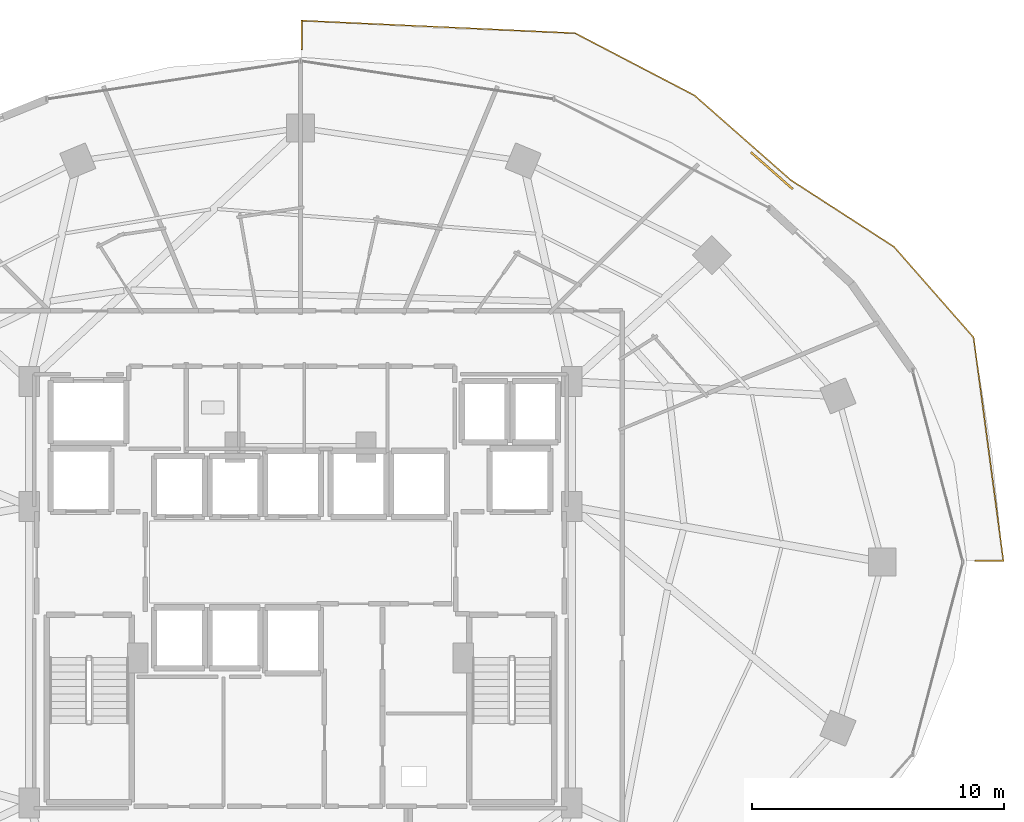
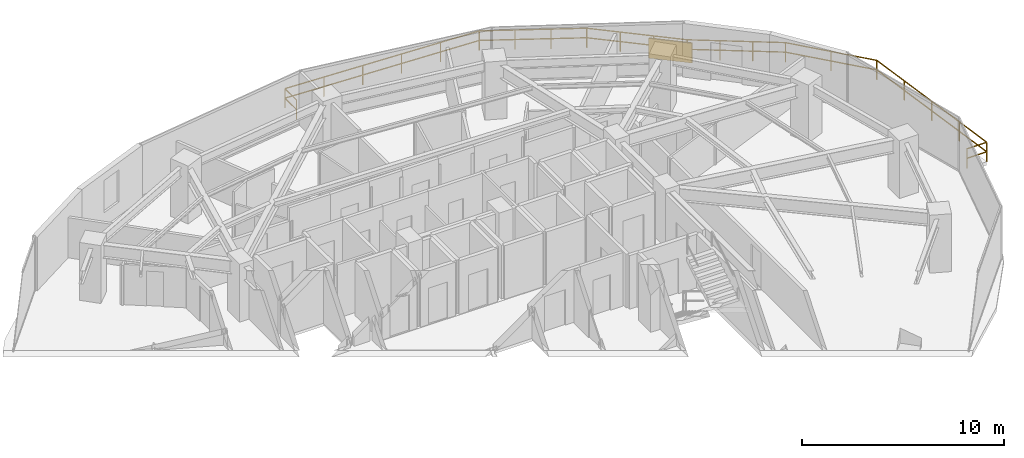
# One storey, part 30 of 31: 2 railings, 1 shading device.
"""IFC4 building model written with IfcOpenShell, lengths in metres."""

from ifc_helpers import new_model, si_unit, direction, frame, origin, origin_2d, place, context, subcontext, project, spatial, rectangle, extrude, material, type_object, element, save


model = new_model("IFC4")

# Units and contexts
model_context = context("Model", 3, precision=1e-05, world=origin(), true_north=direction((0.0, 1.0)))
body_context = subcontext(model_context, "Body", "Model", "MODEL_VIEW")
ifc_project = project(units=[si_unit("LENGTHUNIT", "METRE"), si_unit("AREAUNIT", "SQUARE_METRE"), si_unit("VOLUMEUNIT", "CUBIC_METRE"), si_unit("PLANEANGLEUNIT", "RADIAN"), si_unit("MASSUNIT", "GRAM", prefix="KILO")], contexts=[model_context])

# Site, building, storey
site_placement = place(None, origin())
site = spatial("IfcSite", under=ifc_project, at=site_placement, CompositionType="ELEMENT")
building_placement = place(site_placement, origin())
building = spatial("IfcBuilding", under=site, at=building_placement, Name="Vorneva Point Tower", CompositionType="ELEMENT")
storey_placement = place(building_placement, frame((0.0, 0.0, 103.300048828125)))
storey = spatial("IfcBuildingStorey", under=building, at=storey_placement, Name="L27", CompositionType="ELEMENT", Elevation=103.300048828125)

# Railings
ifc_material = material(Name="Pale anodised aluminium", Category="aluminium")
railing_type = type_object("IfcRailingType", Name="RL-BAL-1200", PredefinedType="BALUSTRADE", material=ifc_material)
railing_1_placement = place(storey_placement, frame((38.050048828125, 47.452392578125, 0.0)))
element("IfcRailing", 1, at=railing_1_placement, inside=storey, type_object=railing_type, Name="L27 Wave Balcony Balustrade NE.1", PredefinedType="BALUSTRADE", context=body_context, shape_type="SweptSolid", body=[
    extrude(rectangle(XDim=0.048095703125, YDim=0.048095703125, at=origin_2d()), frame((0.0, 0.0, 1.17578125), z_axis=(0.0, -1.0, 0.0), x_axis=(1.0, 0.0, 0.0)), (0.0, 0.0, 1.0), 1.13525390625),
    extrude(rectangle(XDim=0.048095703125, YDim=0.048095703125, at=origin_2d()), frame((0.0, 0.0, 0.60009765625), z_axis=(0.0, -1.0, 0.0), x_axis=(1.0, 0.0, 0.0)), (0.0, 0.0, 1.0), 1.13525390625),
    extrude(rectangle(XDim=0.0419921875, YDim=0.0419921875, at=origin_2d()), origin(), (0.0, 0.0, 1.0), 1.15185546875),
    extrude(rectangle(XDim=0.0419921875, YDim=0.0419921875, at=origin_2d()), frame((0.0, -1.13525390625, 0.0)), (0.0, 0.0, 1.0), 1.15185546875),
])
railing_2_placement = place(storey_placement, frame((64.71630859375, 26.050048828125, 0.0)))
element("IfcRailing", 2, at=railing_2_placement, inside=storey, type_object=railing_type, Name="L27 Wave Balcony Balustrade NE.2", PredefinedType="BALUSTRADE", context=body_context, shape_type="SweptSolid", body=[
    extrude(rectangle(XDim=0.048095703125, YDim=0.048095703125, at=origin_2d()), frame((0.0, 0.0, 1.17578125), z_axis=(1.0, 0.0, 0.0), x_axis=(0.0, 1.0, 0.0)), (0.0, 0.0, 1.0), 1.13330078125),
    extrude(rectangle(XDim=0.048095703125, YDim=0.048095703125, at=origin_2d()), frame((0.0, 0.0, 0.60009765625), z_axis=(1.0, 0.0, 0.0), x_axis=(0.0, 1.0, 0.0)), (0.0, 0.0, 1.0), 1.13330078125),
    extrude(rectangle(XDim=0.048095703125, YDim=0.048095703125, at=origin_2d()), frame((1.13330078125, 0.0, 1.17578125), z_axis=(-0.132272984189, 0.991213326007, 0.0), x_axis=(-0.991213326007, -0.132272984189, 0.0)), (0.0, 0.0, 1.0), 8.927734375),
    extrude(rectangle(XDim=0.048095703125, YDim=0.048095703125, at=origin_2d()), frame((1.13330078125, 0.0, 0.60009765625), z_axis=(-0.132272984189, 0.991213326007, 0.0), x_axis=(-0.991213326007, -0.132272984189, 0.0)), (0.0, 0.0, 1.0), 8.927734375),
    extrude(rectangle(XDim=0.048095703125, YDim=0.048095703125, at=origin_2d()), frame((-0.047607421875, 8.849365234375, 1.17578125), z_axis=(-0.65966820994, 0.751556952463, 0.0), x_axis=(-0.751556952463, -0.65966820994, 0.0)), (0.0, 0.0, 1.0), 4.77978515625),
    extrude(rectangle(XDim=0.048095703125, YDim=0.048095703125, at=origin_2d()), frame((-0.047607421875, 8.849365234375, 0.60009765625), z_axis=(-0.65966820994, 0.751556952463, 0.0), x_axis=(-0.751556952463, -0.65966820994, 0.0)), (0.0, 0.0, 1.0), 4.77978515625),
    extrude(rectangle(XDim=0.048095703125, YDim=0.048095703125, at=origin_2d()), frame((-3.20068359375, 12.441650390625, 1.17578125), z_axis=(-0.839743461162, 0.542983350975, 0.0), x_axis=(-0.542983350975, -0.839743461162, 0.0)), (0.0, 0.0, 1.0), 4.87451171875),
    extrude(rectangle(XDim=0.048095703125, YDim=0.048095703125, at=origin_2d()), frame((-3.20068359375, 12.441650390625, 0.60009765625), z_axis=(-0.839743461162, 0.542983350975, 0.0), x_axis=(-0.542983350975, -0.839743461162, 0.0)), (0.0, 0.0, 1.0), 4.87451171875),
    extrude(rectangle(XDim=0.048095703125, YDim=0.048095703125, at=origin_2d()), frame((-7.2939453125, 15.08837890625, 1.17578125), z_axis=(-0.750995803, 0.660306977001, 0.0), x_axis=(-0.660306977001, -0.750995803, 0.0)), (0.0, 0.0, 1.0), 5.0771484375),
    extrude(rectangle(XDim=0.048095703125, YDim=0.048095703125, at=origin_2d()), frame((-7.2939453125, 15.08837890625, 0.60009765625), z_axis=(-0.750995803, 0.660306977001, 0.0), x_axis=(-0.660306977001, -0.750995803, 0.0)), (0.0, 0.0, 1.0), 5.0771484375),
    extrude(rectangle(XDim=0.048095703125, YDim=0.048095703125, at=origin_2d()), frame((-11.10693359375, 18.44091796875, 1.17578125), z_axis=(-0.886830442852, 0.462094974688, 0.0), x_axis=(-0.462094974688, -0.886830442852, 0.0)), (0.0, 0.0, 1.0), 5.33251953125),
    extrude(rectangle(XDim=0.048095703125, YDim=0.048095703125, at=origin_2d()), frame((-11.10693359375, 18.44091796875, 0.60009765625), z_axis=(-0.886830442852, 0.462094974688, 0.0), x_axis=(-0.462094974688, -0.886830442852, 0.0)), (0.0, 0.0, 1.0), 5.33251953125),
    extrude(rectangle(XDim=0.048095703125, YDim=0.048095703125, at=origin_2d()), frame((-15.8359375, 20.905029296875, 1.17578125), z_axis=(-0.998947400212, 0.045870378356, 0.0), x_axis=(-0.045870378356, -0.998947400212, 0.0)), (0.0, 0.0, 1.0), 10.841796875),
    extrude(rectangle(XDim=0.048095703125, YDim=0.048095703125, at=origin_2d()), frame((-15.8359375, 20.905029296875, 0.60009765625), z_axis=(-0.998947400212, 0.045870378356, 0.0), x_axis=(-0.045870378356, -0.998947400212, 0.0)), (0.0, 0.0, 1.0), 10.841796875),
    extrude(rectangle(XDim=0.0419921875, YDim=0.0419921875, at=origin_2d()), origin(), (0.0, 0.0, 1.0), 1.15185546875),
    extrude(rectangle(XDim=0.0419921875, YDim=0.0419921875, at=origin_2d()), frame((1.13330078125, 0.0, 0.0)), (0.0, 0.0, 1.0), 1.15185546875),
    extrude(rectangle(XDim=0.0419921875, YDim=0.0419921875, at=origin_2d()), frame((0.838134765625, 2.21240234375, 0.0)), (0.0, 0.0, 1.0), 1.15185546875),
    extrude(rectangle(XDim=0.0419921875, YDim=0.0419921875, at=origin_2d()), frame((0.54296875, 4.4248046875, 0.0)), (0.0, 0.0, 1.0), 1.15185546875),
    extrude(rectangle(XDim=0.0419921875, YDim=0.0419921875, at=origin_2d()), frame((0.24755859375, 6.636962890625, 0.0)), (0.0, 0.0, 1.0), 1.15185546875),
    extrude(rectangle(XDim=0.0419921875, YDim=0.0419921875, at=origin_2d()), frame((-0.047607421875, 8.849365234375, 0.0)), (0.0, 0.0, 1.0), 1.15185546875),
    extrude(rectangle(XDim=0.0419921875, YDim=0.0419921875, at=origin_2d()), frame((-1.6240234375, 10.6455078125, 0.0)), (0.0, 0.0, 1.0), 1.15185546875),
    extrude(rectangle(XDim=0.0419921875, YDim=0.0419921875, at=origin_2d()), frame((-3.20068359375, 12.441650390625, 0.0)), (0.0, 0.0, 1.0), 1.15185546875),
    extrude(rectangle(XDim=0.0419921875, YDim=0.0419921875, at=origin_2d()), frame((-4.565185546875, 13.323974609375, 0.0)), (0.0, 0.0, 1.0), 1.15185546875),
    extrude(rectangle(XDim=0.0419921875, YDim=0.0419921875, at=origin_2d()), frame((-5.929443359375, 14.2060546875, 0.0)), (0.0, 0.0, 1.0), 1.15185546875),
    extrude(rectangle(XDim=0.0419921875, YDim=0.0419921875, at=origin_2d()), frame((-7.2939453125, 15.08837890625, 0.0)), (0.0, 0.0, 1.0), 1.15185546875),
    extrude(rectangle(XDim=0.0419921875, YDim=0.0419921875, at=origin_2d()), frame((-8.56494140625, 16.205810546875, 0.0)), (0.0, 0.0, 1.0), 1.15185546875),
    extrude(rectangle(XDim=0.0419921875, YDim=0.0419921875, at=origin_2d()), frame((-9.8359375, 17.323486328125, 0.0)), (0.0, 0.0, 1.0), 1.15185546875),
    extrude(rectangle(XDim=0.0419921875, YDim=0.0419921875, at=origin_2d()), frame((-11.10693359375, 18.44091796875, 0.0)), (0.0, 0.0, 1.0), 1.15185546875),
    extrude(rectangle(XDim=0.0419921875, YDim=0.0419921875, at=origin_2d()), frame((-12.683349609375, 19.26220703125, 0.0)), (0.0, 0.0, 1.0), 1.15185546875),
    extrude(rectangle(XDim=0.0419921875, YDim=0.0419921875, at=origin_2d()), frame((-14.259521484375, 20.083740234375, 0.0)), (0.0, 0.0, 1.0), 1.15185546875),
    extrude(rectangle(XDim=0.0419921875, YDim=0.0419921875, at=origin_2d()), frame((-15.8359375, 20.905029296875, 0.0)), (0.0, 0.0, 1.0), 1.15185546875),
    extrude(rectangle(XDim=0.0419921875, YDim=0.0419921875, at=origin_2d()), frame((-18.001953125, 21.00439453125, 0.0)), (0.0, 0.0, 1.0), 1.15185546875),
    extrude(rectangle(XDim=0.0419921875, YDim=0.0419921875, at=origin_2d()), frame((-20.16796875, 21.10400390625, 0.0)), (0.0, 0.0, 1.0), 1.15185546875),
    extrude(rectangle(XDim=0.0419921875, YDim=0.0419921875, at=origin_2d()), frame((-22.334228515625, 21.203369140625, 0.0)), (0.0, 0.0, 1.0), 1.15185546875),
    extrude(rectangle(XDim=0.0419921875, YDim=0.0419921875, at=origin_2d()), frame((-24.500244140625, 21.302978515625, 0.0)), (0.0, 0.0, 1.0), 1.15185546875),
    extrude(rectangle(XDim=0.0419921875, YDim=0.0419921875, at=origin_2d()), frame((-26.666259765625, 21.40234375, 0.0)), (0.0, 0.0, 1.0), 1.15185546875),
])

# Shading device
shading_device_type = type_object("IfcShadingDeviceType", Name="SHD-JAL-1200", PredefinedType="JALOUSIE", material=ifc_material)
shading_device_placement = place(storey_placement, frame((56.677490234375, 41.504150390625, -0.02001953125), z_axis=(0.0, 0.0, 1.0), x_axis=(-0.75099913133, 0.660303191527, 0.0)))
element("IfcShadingDevice", 3, at=shading_device_placement, inside=storey, type_object=shading_device_type, Name="L27 Balcony Vertical-Greenery Planter Screen NE.2", PredefinedType="JALOUSIE", context=body_context, shape_type="SweptSolid", body=[
    extrude(rectangle(XDim=2.199951171875, YDim=0.080078125, at=origin_2d()), origin(), (0.0, 0.0, 1.0), 1.199951171875),
])

save(model, "model.ifc")
